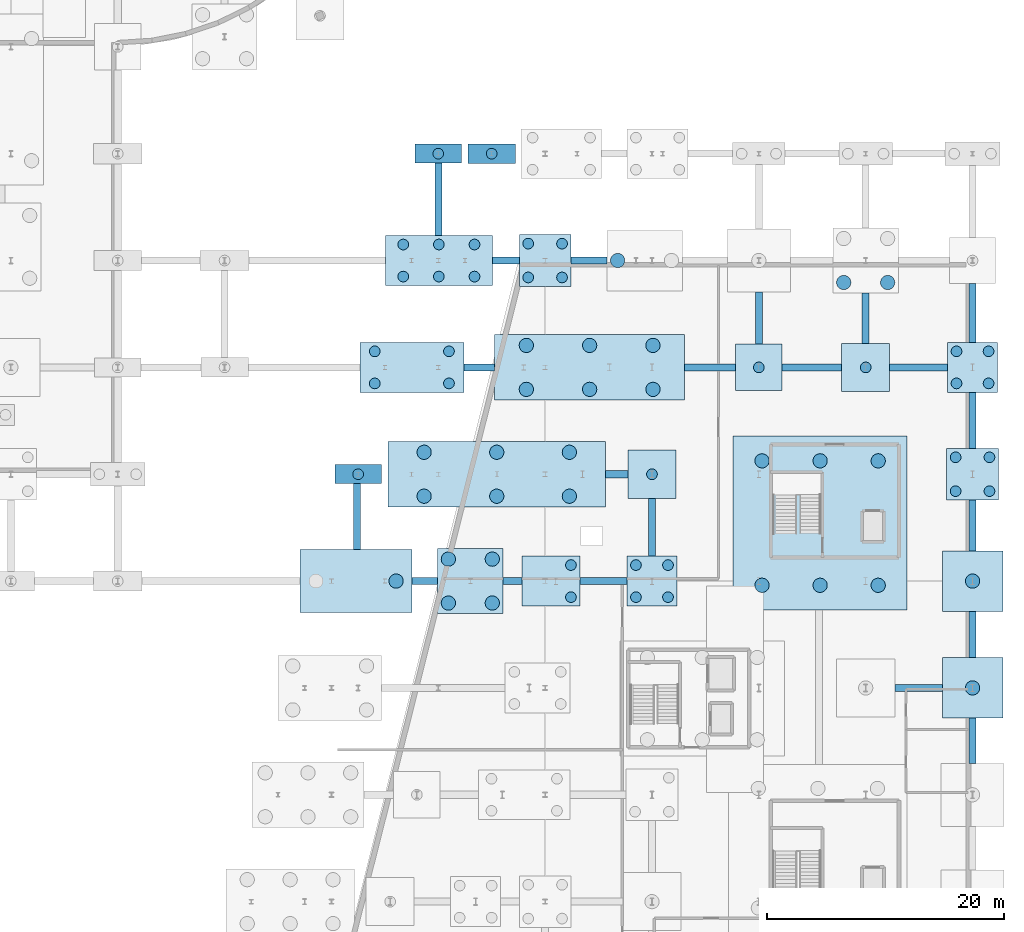
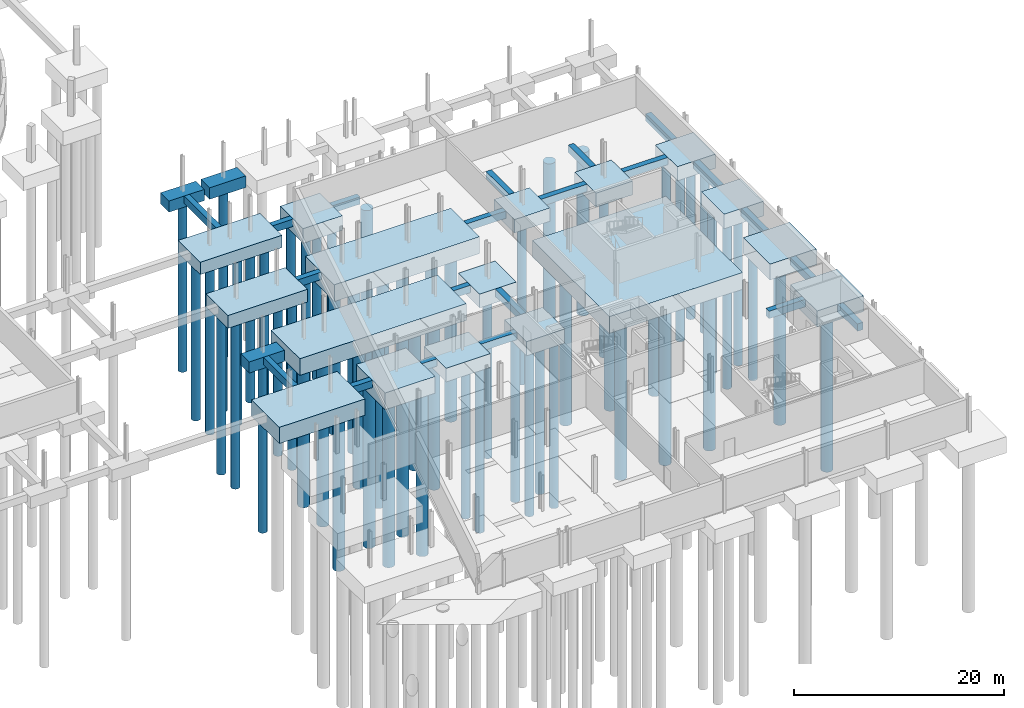
# One storey, part 8 of 42: 62 piles, 41 footings.
"""IFC4 building model written with IfcOpenShell, lengths in metres."""

from ifc_helpers import new_model, si_unit, direction, frame, origin, origin_2d, place, context, subcontext, project, spatial, rectangle, circle, extrude, material, material_profile, profile_set, type_object, element, save


model = new_model("IFC4")

# Units and contexts
model_context = context("Model", 3, precision=1e-05, world=origin(), true_north=direction((0.0, 1.0)))
body_context = subcontext(model_context, "Body", "Model", "MODEL_VIEW")
ifc_project = project(units=[si_unit("LENGTHUNIT", "METRE"), si_unit("AREAUNIT", "SQUARE_METRE"), si_unit("VOLUMEUNIT", "CUBIC_METRE"), si_unit("PLANEANGLEUNIT", "RADIAN"), si_unit("MASSUNIT", "GRAM", prefix="KILO")], contexts=[model_context])

# Site, building, storey
site_placement = place(None, origin())
site = spatial("IfcSite", under=ifc_project, at=site_placement, CompositionType="ELEMENT")
building_placement = place(site_placement, origin())
building = spatial("IfcBuilding", under=site, at=building_placement, Name="Deido Ridge Mobility Hub", CompositionType="ELEMENT")
storey_placement = place(building_placement, frame((0.0, 0.0, -4.199951171875)))
storey = spatial("IfcBuildingStorey", under=building, at=storey_placement, Name="B1", CompositionType="ELEMENT", Elevation=-4.199951171875)

# Footings
ifc_material = material(Name="Concrete C40/50", Category="concrete")
footing_type_1 = type_object("IfcFootingType", Name="FTG-PC-16000X5500X1950", PredefinedType="PILE_CAP", material=ifc_material)
footing_1_placement = place(storey_placement, frame((147.75, 54.0, -1.9501953125), z_axis=(0.0, 0.0, 1.0), x_axis=(1.0, 0.0, 0.0)))
element("IfcFooting", 1, at=footing_1_placement, inside=storey, type_object=footing_type_1, Name="Pile cap PC37", PredefinedType="PILE_CAP", context=body_context, shape_type="SweptSolid", body=[
    extrude(rectangle(XDim=16.0, YDim=5.5, at=origin_2d()), origin(), (0.0, 0.0, 1.0), 1.949951171875),
])
footing_type_2 = type_object("IfcFootingType", Name="FTG-PC-18350X5500X1950", PredefinedType="PILE_CAP", material=ifc_material)
footing_2_placement = place(storey_placement, frame((139.925048828125, 45.0, -1.9501953125), z_axis=(0.0, 0.0, 1.0), x_axis=(1.0, 0.0, 0.0)))
element("IfcFooting", 2, at=footing_2_placement, inside=storey, type_object=footing_type_2, Name="Pile cap PC35", PredefinedType="PILE_CAP", context=body_context, shape_type="SweptSolid", body=[
    extrude(rectangle(XDim=18.35009765625, YDim=5.5, at=origin_2d()), origin(), (0.0, 0.0, 1.0), 1.949951171875),
])
footing_type_3 = type_object("IfcFootingType", Name="FTG-PC-3900X1600X1300", PredefinedType="PILE_CAP", material=ifc_material)
for number, where, z_axis, x_axis, name in (
    (3, (128.25, 45.0, -1.30029296875), (0.0, 0.0, 1.0), (1.0, 0.0, 0.0), "Pile cap PC1"),
    (4, (135.0, 72.0, -1.30029296875), (0.0, 0.0, 1.0), (1.0, 0.0, 0.0), "Pile cap PC1"),
):
    element("IfcFooting", number, at=place(storey_placement, frame(where, z_axis=z_axis, x_axis=x_axis)), inside=storey, type_object=footing_type_3, Name=name, PredefinedType="PILE_CAP", context=body_context, shape_type="SweptSolid", body=[
        extrude(rectangle(XDim=3.89990234375, YDim=1.60009765625, at=origin_2d()), origin(), (0.0, 0.0, 1.0), 1.300048828125),
    ])
footing_type_4 = type_object("IfcFootingType", Name="FTG-PC-3900X3900X1550", PredefinedType="PILE_CAP", material=ifc_material)
footing_3_placement = place(storey_placement, frame((162.0, 54.0, -1.55029296875), z_axis=(0.0, 0.0, 1.0), x_axis=(1.0, 0.0, 0.0)))
element("IfcFooting", 5, at=footing_3_placement, inside=storey, type_object=footing_type_4, Name="Pile cap PC12", PredefinedType="PILE_CAP", context=body_context, shape_type="SweptSolid", body=[
    extrude(rectangle(XDim=3.89990234375, YDim=3.89990234375, at=origin_2d()), origin(), (0.0, 0.0, 1.0), 1.550048828125),
])
footing_type_5 = type_object("IfcFootingType", Name="FTG-PC-4000X1650X1350", PredefinedType="PILE_CAP", material=ifc_material)
footing_4_placement = place(storey_placement, frame((139.5, 72.0, -1.35009765625), z_axis=(0.0, 0.0, 1.0), x_axis=(1.0, 0.0, 0.0)))
element("IfcFooting", 6, at=footing_4_placement, inside=storey, type_object=footing_type_5, Name="Pile cap PC2", PredefinedType="PILE_CAP", context=body_context, shape_type="SweptSolid", body=[
    extrude(rectangle(XDim=4.0, YDim=1.64990234375, at=origin_2d()), origin(), (0.0, 0.0, 1.0), 1.35009765625),
])
footing_type_6 = type_object("IfcFootingType", Name="FTG-PC-4050X4050X1600", PredefinedType="PILE_CAP", material=ifc_material)
for number, where, z_axis, x_axis, name in (
    (7, (153.0, 45.0, -1.60009765625), (0.0, 0.0, 1.0), (1.0, 0.0, 0.0), "Pile cap PC13"),
    (8, (171.0, 54.0, -1.60009765625), (0.0, 0.0, 1.0), (1.0, 0.0, 0.0), "Pile cap PC13"),
):
    element("IfcFooting", number, at=place(storey_placement, frame(where, z_axis=z_axis, x_axis=x_axis)), inside=storey, type_object=footing_type_6, Name=name, PredefinedType="PILE_CAP", context=body_context, shape_type="SweptSolid", body=[
        extrude(rectangle(XDim=4.050048828125, YDim=4.050048828125, at=origin_2d()), origin(), (0.0, 0.0, 1.0), 1.60009765625),
    ])
footing_type_7 = type_object("IfcFootingType", Name="FTG-PC-4200X4200X1650", PredefinedType="PILE_CAP", material=ifc_material)
for number, where, z_axis, x_axis, name in (
    (9, (153.0, 36.0, -1.64990234375), (0.0, 0.0, 1.0), (1.0, 0.0, 0.0), "Pile cap PC14"),
    (10, (180.0, 54.0, -1.64990234375), (0.0, 0.0, 1.0), (1.0, 0.0, 0.0), "Pile cap PC14"),
):
    element("IfcFooting", number, at=place(storey_placement, frame(where, z_axis=z_axis, x_axis=x_axis)), inside=storey, type_object=footing_type_7, Name=name, PredefinedType="PILE_CAP", context=body_context, shape_type="SweptSolid", body=[
        extrude(rectangle(XDim=4.199951171875, YDim=4.199951171875, at=origin_2d()), origin(), (0.0, 0.0, 1.0), 1.64990234375),
    ])
footing_type_8 = type_object("IfcFootingType", Name="FTG-PC-4350X4350X1700", PredefinedType="PILE_CAP", material=ifc_material)
for number, where, z_axis, x_axis, name in (
    (11, (180.0, 45.0, -1.7001953125), (0.0, 0.0, 1.0), (1.0, 0.0, 0.0), "Pile cap PC15"),
    (12, (144.0, 63.0, -1.7001953125), (0.0, 0.0, 1.0), (1.0, 0.0, 0.0), "Pile cap PC15"),
):
    element("IfcFooting", number, at=place(storey_placement, frame(where, z_axis=z_axis, x_axis=x_axis)), inside=storey, type_object=footing_type_8, Name=name, PredefinedType="PILE_CAP", context=body_context, shape_type="SweptSolid", body=[
        extrude(rectangle(XDim=4.35009765625, YDim=4.35009765625, at=origin_2d()), origin(), (0.0, 0.0, 1.0), 1.699951171875),
    ])
footing_type_9 = type_object("IfcFootingType", Name="FTG-PC-4875X4200X1600", PredefinedType="PILE_CAP", material=ifc_material)
footing_5_placement = place(storey_placement, frame((144.487548828125, 36.0, -1.60009765625), z_axis=(0.0, 0.0, 1.0), x_axis=(1.0, 0.0, 0.0)))
element("IfcFooting", 13, at=footing_5_placement, inside=storey, type_object=footing_type_9, Name="Pile cap PC28", PredefinedType="PILE_CAP", context=body_context, shape_type="SweptSolid", body=[
    extrude(rectangle(XDim=4.875, YDim=4.199951171875, at=origin_2d()), origin(), (0.0, 0.0, 1.0), 1.60009765625),
])
footing_type_10 = type_object("IfcFootingType", Name="FTG-PC-5100X5100X1850", PredefinedType="PILE_CAP", material=ifc_material)
for number, where, z_axis, x_axis, name in (
    (14, (180.0, 27.0, -1.85009765625), (0.0, 0.0, 1.0), (1.0, 0.0, 0.0), "Pile cap PC22"),
    (15, (180.0, 36.0, -1.85009765625), (0.0, 0.0, 1.0), (1.0, 0.0, 0.0), "Pile cap PC22"),
):
    element("IfcFooting", number, at=place(storey_placement, frame(where, z_axis=z_axis, x_axis=x_axis)), inside=storey, type_object=footing_type_10, Name=name, PredefinedType="PILE_CAP", context=body_context, shape_type="SweptSolid", body=[
        extrude(rectangle(XDim=5.10009765625, YDim=5.10009765625, at=origin_2d()), origin(), (0.0, 0.0, 1.0), 1.85009765625),
    ])
footing_type_11 = type_object("IfcFootingType", Name="FTG-PC-5500X5500X1950", PredefinedType="PILE_CAP", material=ifc_material)
footing_6_placement = place(storey_placement, frame((137.699951171875, 36.0, -1.9501953125), z_axis=(0.0, 0.0, 1.0), x_axis=(1.0, 0.0, 0.0)))
element("IfcFooting", 16, at=footing_6_placement, inside=storey, type_object=footing_type_11, Name="Pile cap PC16", PredefinedType="PILE_CAP", context=body_context, shape_type="SweptSolid", body=[
    extrude(rectangle(XDim=5.5, YDim=5.5, at=origin_2d()), origin(), (0.0, 0.0, 1.0), 1.949951171875),
])
footing_type_12 = type_object("IfcFootingType", Name="FTG-PC-8750X4200X1500", PredefinedType="PILE_CAP", material=ifc_material)
footing_7_placement = place(storey_placement, frame((132.77490234375, 54.0, -1.5), z_axis=(0.0, 0.0, 1.0), x_axis=(1.0, 0.0, 0.0)))
element("IfcFooting", 17, at=footing_7_placement, inside=storey, type_object=footing_type_12, Name="Pile cap PC36", PredefinedType="PILE_CAP", context=body_context, shape_type="SweptSolid", body=[
    extrude(rectangle(XDim=8.75, YDim=4.199951171875, at=origin_2d()), origin(), (0.0, 0.0, 1.0), 1.5),
])
footing_type_13 = type_object("IfcFootingType", Name="FTG-PC-9000X4200X1450", PredefinedType="PILE_CAP", material=ifc_material)
footing_8_placement = place(storey_placement, frame((135.050048828125, 63.0, -1.4501953125), z_axis=(0.0, 0.0, 1.0), x_axis=(1.0, 0.0, 0.0)))
element("IfcFooting", 18, at=footing_8_placement, inside=storey, type_object=footing_type_13, Name="Pile cap PC38", PredefinedType="PILE_CAP", context=body_context, shape_type="SweptSolid", body=[
    extrude(rectangle(XDim=9.0, YDim=4.199951171875, at=origin_2d()), origin(), (0.0, 0.0, 1.0), 1.449951171875),
])
footing_type_14 = type_object("IfcFootingType", Name="FTG-PC-9450X5300X1900", PredefinedType="PILE_CAP", material=ifc_material)
footing_9_placement = place(storey_placement, frame((128.074951171875, 36.0, -1.89990234375), z_axis=(0.0, 0.0, 1.0), x_axis=(1.0, 0.0, 0.0)))
element("IfcFooting", 19, at=footing_9_placement, inside=storey, type_object=footing_type_14, Name="Pile cap PC34", PredefinedType="PILE_CAP", context=body_context, shape_type="SweptSolid", body=[
    extrude(rectangle(XDim=9.449951171875, YDim=5.300048828125, at=origin_2d()), origin(), (0.0, 0.0, 1.0), 1.89990234375),
])
footing_type_15 = type_object("IfcFootingType", Name="FTG-PC-C2", PredefinedType="PILE_CAP", material=ifc_material)
footing_10_placement = place(storey_placement, frame((167.16259765625, 40.887451171875, -1.9501953125), z_axis=(0.0, 0.0, 1.0), x_axis=(1.0, 0.0, 0.0)))
element("IfcFooting", 20, at=footing_10_placement, inside=storey, type_object=footing_type_15, Name="Pile cap PC-C2", PredefinedType="PILE_CAP", context=body_context, shape_type="SweptSolid", body=[
    extrude(rectangle(XDim=14.675048828125, YDim=14.675048828125, at=origin_2d()), origin(), (0.0, 0.0, 1.0), 1.949951171875),
])
ifc_material_profile_1 = material_profile(ifc_material, rectangle(XDim=0.60009765625, YDim=0.85009765625, at=origin_2d()), Name="RC GB 600x850")
ifc_profile_set_1 = profile_set([ifc_material_profile_1], Name="Concrete C40/50")
footing_type_16 = type_object("IfcFootingType", Name="GB-RC600X850", PredefinedType="FOOTING_BEAM", material=ifc_profile_set_1)
footing_11_placement = place(storey_placement, frame((132.800048828125, 36.0, -0.425048828125), z_axis=(1.0, 0.0, 0.0), x_axis=(0.0, 1.0, 0.0)))
element("IfcFooting", 21, at=footing_11_placement, inside=storey, type_object=footing_type_16, Name="Ground beam GB1", PredefinedType="FOOTING_BEAM", context=body_context, shape_type="SweptSolid", body=[
    extrude(rectangle(XDim=0.60009765625, YDim=0.85009765625, at=origin_2d()), origin(), (0.0, 0.0, 1.0), 2.14990234375),
])
footing_12_placement = place(storey_placement, frame((140.449951171875, 36.0, -0.425048828125), z_axis=(1.0, 0.0, 0.0), x_axis=(0.0, 1.0, 0.0)))
element("IfcFooting", 22, at=footing_12_placement, inside=storey, type_object=footing_type_16, Name="Ground beam GB1", PredefinedType="FOOTING_BEAM", context=body_context, shape_type="SweptSolid", body=[
    extrude(rectangle(XDim=0.60009765625, YDim=0.85009765625, at=origin_2d()), origin(), (0.0, 0.0, 1.0), 1.60009765625),
])
footing_13_placement = place(storey_placement, frame((146.925048828125, 36.0, -0.425048828125), z_axis=(1.0, 0.0, 0.0), x_axis=(0.0, 1.0, 0.0)))
element("IfcFooting", 23, at=footing_13_placement, inside=storey, type_object=footing_type_16, Name="Ground beam GB1", PredefinedType="FOOTING_BEAM", context=body_context, shape_type="SweptSolid", body=[
    extrude(rectangle(XDim=0.60009765625, YDim=0.85009765625, at=origin_2d()), origin(), (0.0, 0.0, 1.0), 3.974853515625),
])
footing_14_placement = place(storey_placement, frame((173.449951171875, 27.0, -0.425048828125), z_axis=(1.0, 0.0, 0.0), x_axis=(0.0, 1.0, 0.0)))
element("IfcFooting", 24, at=footing_14_placement, inside=storey, type_object=footing_type_16, Name="Ground beam GB1", PredefinedType="FOOTING_BEAM", context=body_context, shape_type="SweptSolid", body=[
    extrude(rectangle(XDim=0.60009765625, YDim=0.85009765625, at=origin_2d()), origin(), (0.0, 0.0, 1.0), 4.0),
])
footing_15_placement = place(storey_placement, frame((149.10009765625, 45.0, -0.425048828125), z_axis=(1.0, 0.0, 0.0), x_axis=(0.0, 1.0, 0.0)))
element("IfcFooting", 25, at=footing_15_placement, inside=storey, type_object=footing_type_16, Name="Ground beam GB1", PredefinedType="FOOTING_BEAM", context=body_context, shape_type="SweptSolid", body=[
    extrude(rectangle(XDim=0.60009765625, YDim=0.85009765625, at=origin_2d()), origin(), (0.0, 0.0, 1.0), 1.875),
])
footing_16_placement = place(storey_placement, frame((137.14990234375, 54.0, -0.425048828125), z_axis=(1.0, 0.0, 0.0), x_axis=(0.0, 1.0, 0.0)))
element("IfcFooting", 26, at=footing_16_placement, inside=storey, type_object=footing_type_16, Name="Ground beam GB1", PredefinedType="FOOTING_BEAM", context=body_context, shape_type="SweptSolid", body=[
    extrude(rectangle(XDim=0.60009765625, YDim=0.85009765625, at=origin_2d()), origin(), (0.0, 0.0, 1.0), 2.60009765625),
])
footing_17_placement = place(storey_placement, frame((155.75, 54.0, -0.425048828125), z_axis=(1.0, 0.0, 0.0), x_axis=(0.0, 1.0, 0.0)))
element("IfcFooting", 27, at=footing_17_placement, inside=storey, type_object=footing_type_16, Name="Ground beam GB1", PredefinedType="FOOTING_BEAM", context=body_context, shape_type="SweptSolid", body=[
    extrude(rectangle(XDim=0.60009765625, YDim=0.85009765625, at=origin_2d()), origin(), (0.0, 0.0, 1.0), 4.300048828125),
])
footing_18_placement = place(storey_placement, frame((163.949951171875, 54.0, -0.425048828125), z_axis=(1.0, 0.0, 0.0), x_axis=(0.0, 1.0, 0.0)))
element("IfcFooting", 28, at=footing_18_placement, inside=storey, type_object=footing_type_16, Name="Ground beam GB1", PredefinedType="FOOTING_BEAM", context=body_context, shape_type="SweptSolid", body=[
    extrude(rectangle(XDim=0.60009765625, YDim=0.85009765625, at=origin_2d()), origin(), (0.0, 0.0, 1.0), 5.025146484375),
])
footing_19_placement = place(storey_placement, frame((173.02490234375, 54.0, -0.425048828125), z_axis=(1.0, 0.0, 0.0), x_axis=(0.0, 1.0, 0.0)))
element("IfcFooting", 29, at=footing_19_placement, inside=storey, type_object=footing_type_16, Name="Ground beam GB1", PredefinedType="FOOTING_BEAM", context=body_context, shape_type="SweptSolid", body=[
    extrude(rectangle(XDim=0.60009765625, YDim=0.85009765625, at=origin_2d()), origin(), (0.0, 0.0, 1.0), 4.875),
])
footing_20_placement = place(storey_placement, frame((139.550048828125, 63.0, -0.425048828125), z_axis=(1.0, 0.0, 0.0), x_axis=(0.0, 1.0, 0.0)))
element("IfcFooting", 30, at=footing_20_placement, inside=storey, type_object=footing_type_16, Name="Ground beam GB1", PredefinedType="FOOTING_BEAM", context=body_context, shape_type="SweptSolid", body=[
    extrude(rectangle(XDim=0.60009765625, YDim=0.85009765625, at=origin_2d()), origin(), (0.0, 0.0, 1.0), 2.27490234375),
])
footing_21_placement = place(storey_placement, frame((146.175048828125, 63.0, -0.425048828125), z_axis=(1.0, 0.0, 0.0), x_axis=(0.0, 1.0, 0.0)))
element("IfcFooting", 31, at=footing_21_placement, inside=storey, type_object=footing_type_16, Name="Ground beam GB1", PredefinedType="FOOTING_BEAM", context=body_context, shape_type="SweptSolid", body=[
    extrude(rectangle(XDim=0.60009765625, YDim=0.85009765625, at=origin_2d()), origin(), (0.0, 0.0, 1.0), 3.02490234375),
])
footing_22_placement = place(storey_placement, frame((153.0, 38.10009765625, -0.425048828125), z_axis=(0.0, 1.0, 0.0), x_axis=(-1.0, 0.0, 0.0)))
element("IfcFooting", 32, at=footing_22_placement, inside=storey, type_object=footing_type_16, Name="Ground beam GB1", PredefinedType="FOOTING_BEAM", context=body_context, shape_type="SweptSolid", body=[
    extrude(rectangle(XDim=0.60009765625, YDim=0.85009765625, at=origin_2d()), origin(), (0.0, 0.0, 1.0), 4.875),
])
footing_23_placement = place(storey_placement, frame((162.0, 55.949951171875, -0.425048828125), z_axis=(0.0, 1.0, 0.0), x_axis=(-1.0, 0.0, 0.0)))
element("IfcFooting", 33, at=footing_23_placement, inside=storey, type_object=footing_type_16, Name="Ground beam GB1", PredefinedType="FOOTING_BEAM", context=body_context, shape_type="SweptSolid", body=[
    extrude(rectangle(XDim=0.60009765625, YDim=0.85009765625, at=origin_2d()), origin(), (0.0, 0.0, 1.0), 4.400146484375),
])
footing_24_placement = place(storey_placement, frame((171.0, 56.02490234375, -0.425048828125), z_axis=(0.0, 1.0, 0.0), x_axis=(-1.0, 0.0, 0.0)))
element("IfcFooting", 34, at=footing_24_placement, inside=storey, type_object=footing_type_16, Name="Ground beam GB1", PredefinedType="FOOTING_BEAM", context=body_context, shape_type="SweptSolid", body=[
    extrude(rectangle(XDim=0.60009765625, YDim=0.85009765625, at=origin_2d()), origin(), (0.0, 0.0, 1.0), 4.22509765625),
])
footing_25_placement = place(storey_placement, frame((180.0, 20.64990234375, -0.425048828125), z_axis=(0.0, 1.0, 0.0), x_axis=(-1.0, 0.0, 0.0)))
element("IfcFooting", 35, at=footing_25_placement, inside=storey, type_object=footing_type_16, Name="Ground beam GB1", PredefinedType="FOOTING_BEAM", context=body_context, shape_type="SweptSolid", body=[
    extrude(rectangle(XDim=0.60009765625, YDim=0.85009765625, at=origin_2d()), origin(), (0.0, 0.0, 1.0), 3.800048828125),
])
footing_26_placement = place(storey_placement, frame((180.0, 29.550048828125, -0.425048828125), z_axis=(0.0, 1.0, 0.0), x_axis=(-1.0, 0.0, 0.0)))
element("IfcFooting", 36, at=footing_26_placement, inside=storey, type_object=footing_type_16, Name="Ground beam GB1", PredefinedType="FOOTING_BEAM", context=body_context, shape_type="SweptSolid", body=[
    extrude(rectangle(XDim=0.60009765625, YDim=0.85009765625, at=origin_2d()), origin(), (0.0, 0.0, 1.0), 3.89990234375),
])
footing_27_placement = place(storey_placement, frame((180.0, 38.550048828125, -0.425048828125), z_axis=(0.0, 1.0, 0.0), x_axis=(-1.0, 0.0, 0.0)))
element("IfcFooting", 37, at=footing_27_placement, inside=storey, type_object=footing_type_16, Name="Ground beam GB1", PredefinedType="FOOTING_BEAM", context=body_context, shape_type="SweptSolid", body=[
    extrude(rectangle(XDim=0.60009765625, YDim=0.85009765625, at=origin_2d()), origin(), (0.0, 0.0, 1.0), 4.27490234375),
])
footing_28_placement = place(storey_placement, frame((180.0, 47.175048828125, -0.425048828125), z_axis=(0.0, 1.0, 0.0), x_axis=(-1.0, 0.0, 0.0)))
element("IfcFooting", 38, at=footing_28_placement, inside=storey, type_object=footing_type_16, Name="Ground beam GB1", PredefinedType="FOOTING_BEAM", context=body_context, shape_type="SweptSolid", body=[
    extrude(rectangle(XDim=0.60009765625, YDim=0.85009765625, at=origin_2d()), origin(), (0.0, 0.0, 1.0), 4.724853515625),
])
footing_29_placement = place(storey_placement, frame((180.0, 56.10009765625, -0.425048828125), z_axis=(0.0, 1.0, 0.0), x_axis=(-1.0, 0.0, 0.0)))
element("IfcFooting", 39, at=footing_29_placement, inside=storey, type_object=footing_type_16, Name="Ground beam GB1", PredefinedType="FOOTING_BEAM", context=body_context, shape_type="SweptSolid", body=[
    extrude(rectangle(XDim=0.60009765625, YDim=0.85009765625, at=origin_2d()), origin(), (0.0, 0.0, 1.0), 4.949951171875),
])
footing_30_placement = place(storey_placement, frame((128.16259765625, 38.64990234375, -0.425048828125), z_axis=(0.0, 1.0, 0.0), x_axis=(-1.0, 0.0, 0.0)))
element("IfcFooting", 40, at=footing_30_placement, inside=storey, type_object=footing_type_16, Name="Ground beam GB1", PredefinedType="FOOTING_BEAM", context=body_context, shape_type="SweptSolid", body=[
    extrude(rectangle(XDim=0.60009765625, YDim=0.85009765625, at=origin_2d()), origin(), (0.0, 0.0, 1.0), 5.550048828125),
])
footing_31_placement = place(storey_placement, frame((135.02490234375, 65.10009765625, -0.425048828125), z_axis=(0.0, 1.0, 0.0), x_axis=(-1.0, 0.0, 0.0)))
element("IfcFooting", 41, at=footing_31_placement, inside=storey, type_object=footing_type_16, Name="Ground beam GB1", PredefinedType="FOOTING_BEAM", context=body_context, shape_type="SweptSolid", body=[
    extrude(rectangle(XDim=0.60009765625, YDim=0.85009765625, at=origin_2d()), origin(), (0.0, 0.0, 1.0), 6.099853515625),
])

# Piles
ifc_material_profile_2 = material_profile(ifc_material, circle(Radius=0.60009765625, at=origin_2d()), Name="BORED PILE D1200")
ifc_profile_set_2 = profile_set([ifc_material_profile_2], Name="Concrete C40/50")
pile_type_1 = type_object("IfcPileType", Name="PILE-BORED-D1200", PredefinedType="BORED", material=ifc_profile_set_2)
for number, where, z_axis, x_axis, name in (
    (42, (162.270751953125, 35.646484375, -1.800048828125), (0.0, 0.0, -1.0), (1.0, 0.0, 0.0), "Bored pile P2"),
    (43, (167.16259765625, 35.646484375, -1.800048828125), (0.0, 0.0, -1.0), (1.0, 0.0, 0.0), "Bored pile P2"),
    (44, (172.05419921875, 35.646484375, -1.800048828125), (0.0, 0.0, -1.0), (1.0, 0.0, 0.0), "Bored pile P2"),
    (45, (162.270751953125, 46.128662109375, -1.800048828125), (0.0, 0.0, -1.0), (1.0, 0.0, 0.0), "Bored pile P2"),
    (46, (167.16259765625, 46.128662109375, -1.800048828125), (0.0, 0.0, -1.0), (1.0, 0.0, 0.0), "Bored pile P2"),
    (47, (172.05419921875, 46.128662109375, -1.800048828125), (0.0, 0.0, -1.0), (1.0, 0.0, 0.0), "Bored pile P2"),
):
    element("IfcPile", number, at=place(storey_placement, frame(where, z_axis=z_axis, x_axis=x_axis)), inside=storey, type_object=pile_type_1, Name=name, PredefinedType="BORED", context=body_context, shape_type="SweptSolid", body=[
        extrude(circle(Radius=0.60009765625, at=origin_2d()), origin(), (0.0, 0.0, 1.0), 19.0),
    ])
pile_1_placement = place(storey_placement, frame((180.0, 27.0, -1.699951171875), z_axis=(0.0, 0.0, -1.0), x_axis=(1.0, 0.0, 0.0)))
element("IfcPile", 48, at=pile_1_placement, inside=storey, type_object=pile_type_1, Name="Bored pile P2", PredefinedType="BORED", context=body_context, shape_type="SweptSolid", body=[
    extrude(circle(Radius=0.60009765625, at=origin_2d()), origin(), (0.0, 0.0, 1.0), 19.10009765625),
])
pile_2_placement = place(storey_placement, frame((131.449951171875, 36.0, -1.75), z_axis=(0.0, 0.0, -1.0), x_axis=(1.0, 0.0, 0.0)))
element("IfcPile", 49, at=pile_2_placement, inside=storey, type_object=pile_type_1, Name="Bored pile P2", PredefinedType="BORED", context=body_context, shape_type="SweptSolid", body=[
    extrude(circle(Radius=0.60009765625, at=origin_2d()), origin(), (0.0, 0.0, 1.0), 19.050048828125),
])
for number, where, z_axis, x_axis, name in (
    (50, (135.85009765625, 34.14990234375, -1.800048828125), (0.0, 0.0, -1.0), (1.0, 0.0, 0.0), "Bored pile P2"),
    (51, (139.550048828125, 34.14990234375, -1.800048828125), (0.0, 0.0, -1.0), (1.0, 0.0, 0.0), "Bored pile P2"),
    (52, (135.85009765625, 37.85009765625, -1.800048828125), (0.0, 0.0, -1.0), (1.0, 0.0, 0.0), "Bored pile P2"),
    (53, (139.550048828125, 37.85009765625, -1.800048828125), (0.0, 0.0, -1.0), (1.0, 0.0, 0.0), "Bored pile P2"),
):
    element("IfcPile", number, at=place(storey_placement, frame(where, z_axis=z_axis, x_axis=x_axis)), inside=storey, type_object=pile_type_1, Name=name, PredefinedType="BORED", context=body_context, shape_type="SweptSolid", body=[
        extrude(circle(Radius=0.60009765625, at=origin_2d()), origin(), (0.0, 0.0, 1.0), 19.0),
    ])
pile_3_placement = place(storey_placement, frame((180.0, 36.0, -1.699951171875), z_axis=(0.0, 0.0, -1.0), x_axis=(1.0, 0.0, 0.0)))
element("IfcPile", 54, at=pile_3_placement, inside=storey, type_object=pile_type_1, Name="Bored pile P2", PredefinedType="BORED", context=body_context, shape_type="SweptSolid", body=[
    extrude(circle(Radius=0.60009765625, at=origin_2d()), origin(), (0.0, 0.0, 1.0), 19.10009765625),
])
for number, where, z_axis, x_axis, name in (
    (55, (133.808349609375, 43.14990234375, -1.800048828125), (0.0, 0.0, -1.0), (1.0, 0.0, 0.0), "Bored pile P2"),
    (56, (139.925048828125, 43.14990234375, -1.800048828125), (0.0, 0.0, -1.0), (1.0, 0.0, 0.0), "Bored pile P2"),
    (57, (146.041748046875, 43.14990234375, -1.800048828125), (0.0, 0.0, -1.0), (1.0, 0.0, 0.0), "Bored pile P2"),
    (58, (133.808349609375, 46.85009765625, -1.800048828125), (0.0, 0.0, -1.0), (1.0, 0.0, 0.0), "Bored pile P2"),
    (59, (139.925048828125, 46.85009765625, -1.800048828125), (0.0, 0.0, -1.0), (1.0, 0.0, 0.0), "Bored pile P2"),
    (60, (146.041748046875, 46.85009765625, -1.800048828125), (0.0, 0.0, -1.0), (1.0, 0.0, 0.0), "Bored pile P2"),
    (61, (142.416748046875, 52.14990234375, -1.800048828125), (0.0, 0.0, -1.0), (1.0, 0.0, 0.0), "Bored pile P2"),
    (62, (147.75, 52.14990234375, -1.800048828125), (0.0, 0.0, -1.0), (1.0, 0.0, 0.0), "Bored pile P2"),
    (63, (153.083251953125, 52.14990234375, -1.800048828125), (0.0, 0.0, -1.0), (1.0, 0.0, 0.0), "Bored pile P2"),
    (64, (142.416748046875, 55.85009765625, -1.800048828125), (0.0, 0.0, -1.0), (1.0, 0.0, 0.0), "Bored pile P2"),
    (65, (147.75, 55.85009765625, -1.800048828125), (0.0, 0.0, -1.0), (1.0, 0.0, 0.0), "Bored pile P2"),
    (66, (153.083251953125, 55.85009765625, -1.800048828125), (0.0, 0.0, -1.0), (1.0, 0.0, 0.0), "Bored pile P2"),
):
    element("IfcPile", number, at=place(storey_placement, frame(where, z_axis=z_axis, x_axis=x_axis)), inside=storey, type_object=pile_type_1, Name=name, PredefinedType="BORED", context=body_context, shape_type="SweptSolid", body=[
        extrude(circle(Radius=0.60009765625, at=origin_2d()), origin(), (0.0, 0.0, 1.0), 19.0),
    ])
pile_4_placement = place(storey_placement, frame((150.107177734375, 63.0, -1.699951171875), z_axis=(0.0, 0.0, -1.0), x_axis=(1.0, 0.0, 0.0)))
element("IfcPile", 67, at=pile_4_placement, inside=storey, type_object=pile_type_1, Name="Bored pile P2", PredefinedType="BORED", context=body_context, shape_type="SweptSolid", body=[
    extrude(circle(Radius=0.60009765625, at=origin_2d()), origin(), (0.0, 0.0, 1.0), 19.10009765625),
])
for number, where, z_axis, x_axis, name in (
    (68, (169.14990234375, 61.14990234375, -1.800048828125), (0.0, 0.0, -1.0), (1.0, 0.0, 0.0), "Bored pile P2"),
    (69, (172.85009765625, 61.14990234375, -1.800048828125), (0.0, 0.0, -1.0), (1.0, 0.0, 0.0), "Bored pile P2"),
):
    element("IfcPile", number, at=place(storey_placement, frame(where, z_axis=z_axis, x_axis=x_axis)), inside=storey, type_object=pile_type_1, Name=name, PredefinedType="BORED", context=body_context, shape_type="SweptSolid", body=[
        extrude(circle(Radius=0.60009765625, at=origin_2d()), origin(), (0.0, 0.0, 1.0), 19.0),
    ])
ifc_material_profile_3 = material_profile(ifc_material, circle(Radius=0.449951171875, at=origin_2d()), Name="BORED PILE D900")
ifc_profile_set_3 = profile_set([ifc_material_profile_3], Name="Concrete C40/50")
pile_type_2 = type_object("IfcPileType", Name="PILE-BORED-D900", PredefinedType="BORED", material=ifc_profile_set_3)
for number, where, z_axis, x_axis, name in (
    (70, (146.175048828125, 34.64990234375, -1.449951171875), (0.0, 0.0, -1.0), (1.0, 0.0, 0.0), "Bored pile P1"),
    (71, (146.175048828125, 37.35009765625, -1.449951171875), (0.0, 0.0, -1.0), (1.0, 0.0, 0.0), "Bored pile P1"),
):
    element("IfcPile", number, at=place(storey_placement, frame(where, z_axis=z_axis, x_axis=x_axis)), inside=storey, type_object=pile_type_2, Name=name, PredefinedType="BORED", context=body_context, shape_type="SweptSolid", body=[
        extrude(circle(Radius=0.449951171875, at=origin_2d()), origin(), (0.0, 0.0, 1.0), 19.35009765625),
    ])
for number, where, z_axis, x_axis, name in (
    (72, (151.64990234375, 34.64990234375, -1.5), (0.0, 0.0, -1.0), (1.0, 0.0, 0.0), "Bored pile P1"),
    (73, (154.35009765625, 34.64990234375, -1.5), (0.0, 0.0, -1.0), (1.0, 0.0, 0.0), "Bored pile P1"),
    (74, (151.64990234375, 37.35009765625, -1.5), (0.0, 0.0, -1.0), (1.0, 0.0, 0.0), "Bored pile P1"),
    (75, (154.35009765625, 37.35009765625, -1.5), (0.0, 0.0, -1.0), (1.0, 0.0, 0.0), "Bored pile P1"),
):
    element("IfcPile", number, at=place(storey_placement, frame(where, z_axis=z_axis, x_axis=x_axis)), inside=storey, type_object=pile_type_2, Name=name, PredefinedType="BORED", context=body_context, shape_type="SweptSolid", body=[
        extrude(circle(Radius=0.449951171875, at=origin_2d()), origin(), (0.0, 0.0, 1.0), 19.300048828125),
    ])
pile_5_placement = place(storey_placement, frame((128.25, 45.0, -1.150146484375), z_axis=(0.0, 0.0, -1.0), x_axis=(1.0, 0.0, 0.0)))
element("IfcPile", 76, at=pile_5_placement, inside=storey, type_object=pile_type_2, Name="Bored pile P1", PredefinedType="BORED", context=body_context, shape_type="SweptSolid", body=[
    extrude(circle(Radius=0.449951171875, at=origin_2d()), origin(), (0.0, 0.0, 1.0), 19.64990234375),
])
pile_6_placement = place(storey_placement, frame((153.0, 45.0, -1.449951171875), z_axis=(0.0, 0.0, -1.0), x_axis=(1.0, 0.0, 0.0)))
element("IfcPile", 77, at=pile_6_placement, inside=storey, type_object=pile_type_2, Name="Bored pile P1", PredefinedType="BORED", context=body_context, shape_type="SweptSolid", body=[
    extrude(circle(Radius=0.449951171875, at=origin_2d()), origin(), (0.0, 0.0, 1.0), 19.35009765625),
])
for number, where, z_axis, x_axis, name in (
    (78, (178.574951171875, 43.574951171875, -1.550048828125), (0.0, 0.0, -1.0), (1.0, 0.0, 0.0), "Bored pile P1"),
    (79, (181.425048828125, 43.574951171875, -1.550048828125), (0.0, 0.0, -1.0), (1.0, 0.0, 0.0), "Bored pile P1"),
    (80, (178.574951171875, 46.425048828125, -1.550048828125), (0.0, 0.0, -1.0), (1.0, 0.0, 0.0), "Bored pile P1"),
    (81, (181.425048828125, 46.425048828125, -1.550048828125), (0.0, 0.0, -1.0), (1.0, 0.0, 0.0), "Bored pile P1"),
):
    element("IfcPile", number, at=place(storey_placement, frame(where, z_axis=z_axis, x_axis=x_axis)), inside=storey, type_object=pile_type_2, Name=name, PredefinedType="BORED", context=body_context, shape_type="SweptSolid", body=[
        extrude(circle(Radius=0.449951171875, at=origin_2d()), origin(), (0.0, 0.0, 1.0), 19.25),
    ])
for number, where, z_axis, x_axis, name in (
    (82, (129.64990234375, 52.64990234375, -1.35009765625), (0.0, 0.0, -1.0), (1.0, 0.0, 0.0), "Bored pile P1"),
    (83, (135.89990234375, 52.64990234375, -1.35009765625), (0.0, 0.0, -1.0), (1.0, 0.0, 0.0), "Bored pile P1"),
    (84, (129.64990234375, 55.35009765625, -1.35009765625), (0.0, 0.0, -1.0), (1.0, 0.0, 0.0), "Bored pile P1"),
    (85, (135.89990234375, 55.35009765625, -1.35009765625), (0.0, 0.0, -1.0), (1.0, 0.0, 0.0), "Bored pile P1"),
):
    element("IfcPile", number, at=place(storey_placement, frame(where, z_axis=z_axis, x_axis=x_axis)), inside=storey, type_object=pile_type_2, Name=name, PredefinedType="BORED", context=body_context, shape_type="SweptSolid", body=[
        extrude(circle(Radius=0.449951171875, at=origin_2d()), origin(), (0.0, 0.0, 1.0), 19.449951171875),
    ])
pile_7_placement = place(storey_placement, frame((162.0, 54.0, -1.400146484375), z_axis=(0.0, 0.0, -1.0), x_axis=(1.0, 0.0, 0.0)))
element("IfcPile", 86, at=pile_7_placement, inside=storey, type_object=pile_type_2, Name="Bored pile P1", PredefinedType="BORED", context=body_context, shape_type="SweptSolid", body=[
    extrude(circle(Radius=0.449951171875, at=origin_2d()), origin(), (0.0, 0.0, 1.0), 19.39990234375),
])
pile_8_placement = place(storey_placement, frame((171.0, 54.0, -1.449951171875), z_axis=(0.0, 0.0, -1.0), x_axis=(1.0, 0.0, 0.0)))
element("IfcPile", 87, at=pile_8_placement, inside=storey, type_object=pile_type_2, Name="Bored pile P1", PredefinedType="BORED", context=body_context, shape_type="SweptSolid", body=[
    extrude(circle(Radius=0.449951171875, at=origin_2d()), origin(), (0.0, 0.0, 1.0), 19.35009765625),
])
for number, where, z_axis, x_axis, name in (
    (88, (178.64990234375, 52.64990234375, -1.5), (0.0, 0.0, -1.0), (1.0, 0.0, 0.0), "Bored pile P1"),
    (89, (181.35009765625, 52.64990234375, -1.5), (0.0, 0.0, -1.0), (1.0, 0.0, 0.0), "Bored pile P1"),
    (90, (178.64990234375, 55.35009765625, -1.5), (0.0, 0.0, -1.0), (1.0, 0.0, 0.0), "Bored pile P1"),
    (91, (181.35009765625, 55.35009765625, -1.5), (0.0, 0.0, -1.0), (1.0, 0.0, 0.0), "Bored pile P1"),
):
    element("IfcPile", number, at=place(storey_placement, frame(where, z_axis=z_axis, x_axis=x_axis)), inside=storey, type_object=pile_type_2, Name=name, PredefinedType="BORED", context=body_context, shape_type="SweptSolid", body=[
        extrude(circle(Radius=0.449951171875, at=origin_2d()), origin(), (0.0, 0.0, 1.0), 19.300048828125),
    ])
for number, where, z_axis, x_axis, name in (
    (92, (132.050048828125, 61.64990234375, -1.300048828125), (0.0, 0.0, -1.0), (1.0, 0.0, 0.0), "Bored pile P1"),
    (93, (135.050048828125, 61.64990234375, -1.300048828125), (0.0, 0.0, -1.0), (1.0, 0.0, 0.0), "Bored pile P1"),
    (94, (138.050048828125, 61.64990234375, -1.300048828125), (0.0, 0.0, -1.0), (1.0, 0.0, 0.0), "Bored pile P1"),
    (95, (132.050048828125, 64.35009765625, -1.300048828125), (0.0, 0.0, -1.0), (1.0, 0.0, 0.0), "Bored pile P1"),
    (96, (135.050048828125, 64.35009765625, -1.300048828125), (0.0, 0.0, -1.0), (1.0, 0.0, 0.0), "Bored pile P1"),
    (97, (138.050048828125, 64.35009765625, -1.300048828125), (0.0, 0.0, -1.0), (1.0, 0.0, 0.0), "Bored pile P1"),
):
    element("IfcPile", number, at=place(storey_placement, frame(where, z_axis=z_axis, x_axis=x_axis)), inside=storey, type_object=pile_type_2, Name=name, PredefinedType="BORED", context=body_context, shape_type="SweptSolid", body=[
        extrude(circle(Radius=0.449951171875, at=origin_2d()), origin(), (0.0, 0.0, 1.0), 19.5),
    ])
for number, where, z_axis, x_axis, name in (
    (98, (142.574951171875, 61.574951171875, -1.550048828125), (0.0, 0.0, -1.0), (1.0, 0.0, 0.0), "Bored pile P1"),
    (99, (145.425048828125, 61.574951171875, -1.550048828125), (0.0, 0.0, -1.0), (1.0, 0.0, 0.0), "Bored pile P1"),
    (100, (142.574951171875, 64.425048828125, -1.550048828125), (0.0, 0.0, -1.0), (1.0, 0.0, 0.0), "Bored pile P1"),
    (101, (145.425048828125, 64.425048828125, -1.550048828125), (0.0, 0.0, -1.0), (1.0, 0.0, 0.0), "Bored pile P1"),
):
    element("IfcPile", number, at=place(storey_placement, frame(where, z_axis=z_axis, x_axis=x_axis)), inside=storey, type_object=pile_type_2, Name=name, PredefinedType="BORED", context=body_context, shape_type="SweptSolid", body=[
        extrude(circle(Radius=0.449951171875, at=origin_2d()), origin(), (0.0, 0.0, 1.0), 19.25),
    ])
pile_9_placement = place(storey_placement, frame((135.0, 72.0, -1.150146484375), z_axis=(0.0, 0.0, -1.0), x_axis=(1.0, 0.0, 0.0)))
element("IfcPile", 102, at=pile_9_placement, inside=storey, type_object=pile_type_2, Name="Bored pile P1", PredefinedType="BORED", context=body_context, shape_type="SweptSolid", body=[
    extrude(circle(Radius=0.449951171875, at=origin_2d()), origin(), (0.0, 0.0, 1.0), 19.64990234375),
])
pile_10_placement = place(storey_placement, frame((139.5, 72.0, -1.199951171875), z_axis=(0.0, 0.0, -1.0), x_axis=(1.0, 0.0, 0.0)))
element("IfcPile", 103, at=pile_10_placement, inside=storey, type_object=pile_type_2, Name="Bored pile P1", PredefinedType="BORED", context=body_context, shape_type="SweptSolid", body=[
    extrude(circle(Radius=0.449951171875, at=origin_2d()), origin(), (0.0, 0.0, 1.0), 19.60009765625),
])

save(model, "model.ifc")
